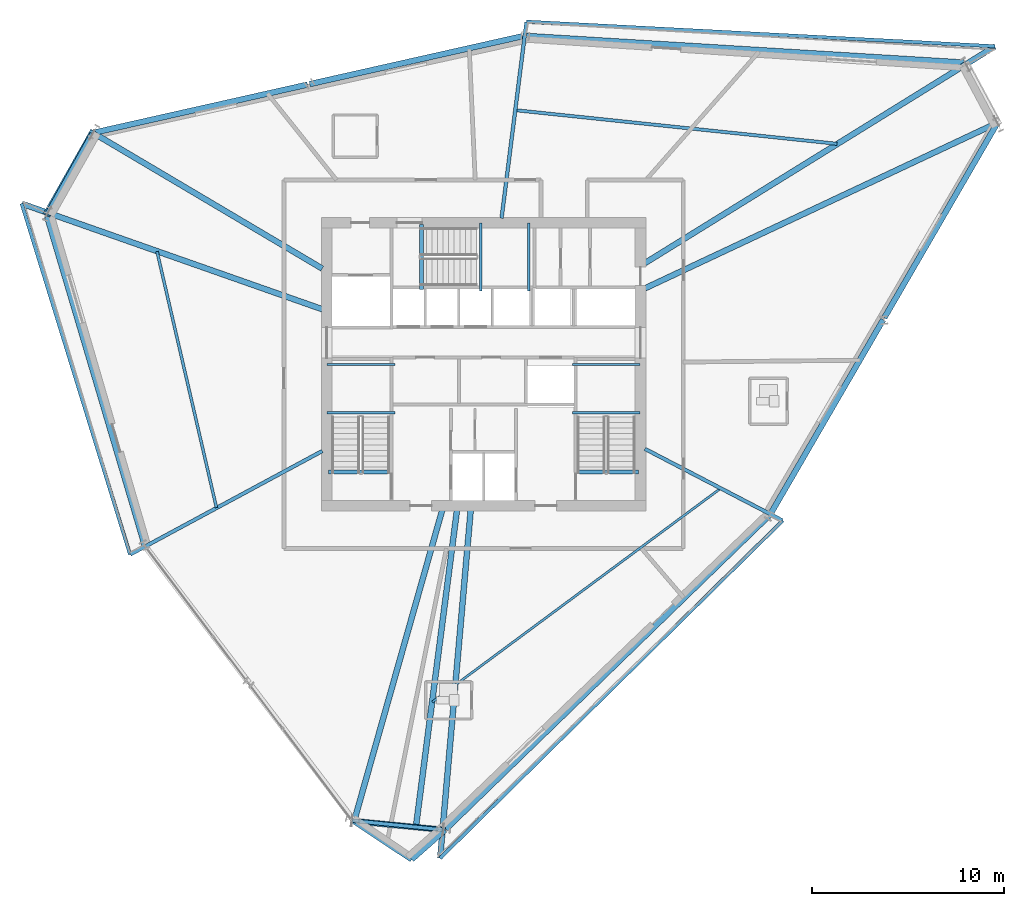
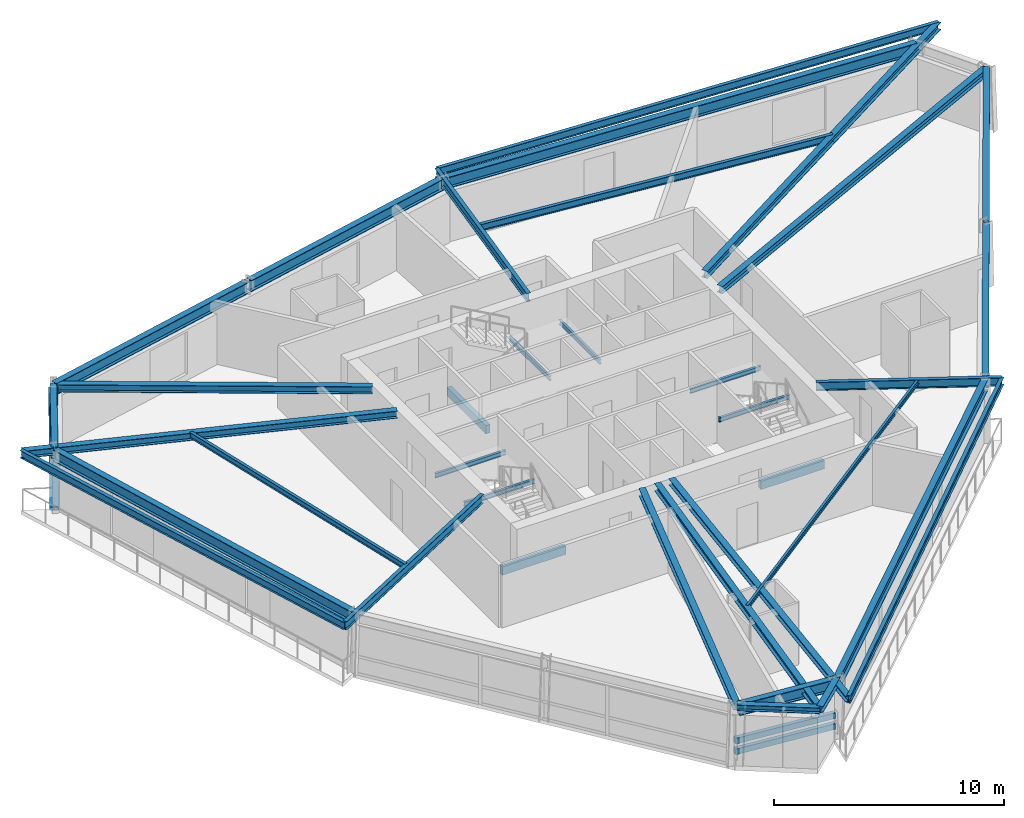
# One storey, part 4 of 15: 36 beams, 3 members.
"""IFC4 building model written with IfcOpenShell, lengths in metres."""

from ifc_helpers import new_model, si_unit, direction, frame, origin, origin_2d, place, context, subcontext, project, spatial, rectangle, hollow_rectangle, i_section, extrude, source, transform, mapped, material, material_profile, profile_set, type_object, element, save


model = new_model("IFC4")

# Units and contexts
model_context = context("Model", 3, precision=1e-05, world=origin(), true_north=direction((0.0, 1.0)))
body_context = subcontext(model_context, "Body", "Model", "MODEL_VIEW")
ifc_project = project(units=[si_unit("LENGTHUNIT", "METRE"), si_unit("AREAUNIT", "SQUARE_METRE"), si_unit("VOLUMEUNIT", "CUBIC_METRE"), si_unit("PLANEANGLEUNIT", "RADIAN"), si_unit("MASSUNIT", "GRAM", prefix="KILO")], contexts=[model_context])

# Site, building, storey
site_placement = place(None, origin())
site = spatial("IfcSite", under=ifc_project, at=site_placement, CompositionType="ELEMENT")
building_placement = place(site_placement, origin())
building = spatial("IfcBuilding", under=site, at=building_placement, Name="Olszyna Solenne Hotel", CompositionType="ELEMENT")
storey_placement = place(building_placement, frame((0.0, 0.0, 150.14990234375)))
storey = spatial("IfcBuildingStorey", under=building, at=storey_placement, Name="L39", CompositionType="ELEMENT", Elevation=150.14990234375)

# Beams
ifc_material_1 = material(Name="Steel S355J2", Category="steel")
ifc_material_profile_1 = material_profile(ifc_material_1, i_section(OverallWidth=0.300048828125, OverallDepth=0.60009765625, WebThickness=0.015380859375, FlangeThickness=0.030029296875, at=origin_2d()), Name="HEB 600", Category="load-bearing")
ifc_profile_set_1 = profile_set([ifc_material_profile_1], Name="Steel S355J2")
beam_type_1 = type_object("IfcBeamType", Name="BM-S2", PredefinedType="BEAM", material=ifc_profile_set_1)
shared_shape_1 = source(origin(), body_context, "Body", "SweptSolid", [
    extrude(i_section(OverallWidth=0.300048828125, OverallDepth=0.60009765625, WebThickness=0.015380859375, FlangeThickness=0.030029296875, at=origin_2d()), origin(), (0.0, 0.0, 1.0), 22.8935546875),
])
beam_1_placement = place(storey_placement, frame((63.021240234375, 42.31005859375, 3.0), z_axis=(-0.998154733349, 0.060721728348, 0.0), x_axis=(-0.060721728348, -0.998154733349, 0.0)))
element("IfcBeam", 1, at=beam_1_placement, inside=storey, type_object=beam_type_1, Name="Perimeter spandrel beam BM-S2 B-L39-1157", PredefinedType="BEAM", context=body_context, shape_type="MappedRepresentation", body=[
    mapped(shared_shape_1, transform((0.0, 0.0, 0.0), x_axis=(1.0, 0.0, 0.0), y_axis=(0.0, 1.0, 0.0), z_axis=(0.0, 0.0, 1.0), scale=1.0)),
])
shared_shape_2 = source(origin(), body_context, "Body", "SweptSolid", [
    extrude(i_section(OverallWidth=0.300048828125, OverallDepth=0.60009765625, WebThickness=0.015380859375, FlangeThickness=0.030029296875, at=origin_2d()), origin(), (0.0, 0.0, 1.0), 11.386962890625),
])
beam_2_placement = place(storey_placement, frame((28.825927734375, 41.1630859375, 3.0), z_axis=(-0.975581968848, -0.219635657529, 0.0), x_axis=(0.219635657529, -0.975581968848, 0.0)))
element("IfcBeam", 2, at=beam_2_placement, inside=storey, type_object=beam_type_1, Name="Perimeter spandrel beam BM-S2 B-L39-1159", PredefinedType="BEAM", context=body_context, shape_type="MappedRepresentation", body=[
    mapped(shared_shape_2, transform((0.0, 0.0, 0.0), x_axis=(1.0, 0.0, 0.0), y_axis=(0.0, 1.0, 0.0), z_axis=(0.0, 0.0, 1.0), scale=1.0)),
])
shared_shape_3 = source(origin(), body_context, "Body", "SweptSolid", [
    extrude(i_section(OverallWidth=0.300048828125, OverallDepth=0.60009765625, WebThickness=0.015380859375, FlangeThickness=0.030029296875, at=origin_2d()), origin(), (0.0, 0.0, 1.0), 11.38671875),
])
beam_3_placement = place(storey_placement, frame((40.051513671875, 43.690673828125, 3.0), z_axis=(-0.975580934534, -0.219640251717, 0.0), x_axis=(0.219640251717, -0.975580934534, 0.0)))
element("IfcBeam", 3, at=beam_3_placement, inside=storey, type_object=beam_type_1, Name="Perimeter spandrel beam BM-S2 B-L39-1158", PredefinedType="BEAM", context=body_context, shape_type="MappedRepresentation", body=[
    mapped(shared_shape_3, transform((0.0, 0.0, 0.0), x_axis=(1.0, 0.0, 0.0), y_axis=(0.0, 1.0, 0.0), z_axis=(0.0, 0.0, 1.0), scale=1.0)),
])
shared_shape_4 = source(origin(), body_context, "Body", "SweptSolid", [
    extrude(i_section(OverallWidth=0.300048828125, OverallDepth=0.60009765625, WebThickness=0.015380859375, FlangeThickness=0.030029296875, at=origin_2d()), origin(), (0.0, 0.0, 1.0), 11.678955078125),
])
beam_4_placement = place(storey_placement, frame((52.957763671875, 18.8125, 3.0), z_axis=(0.501783472499, 0.864993263978, 0.0), x_axis=(-0.864993263978, 0.501783472499, 0.0)))
element("IfcBeam", 4, at=beam_4_placement, inside=storey, type_object=beam_type_1, Name="Perimeter spandrel beam BM-S2 B-L39-1166", PredefinedType="BEAM", context=body_context, shape_type="MappedRepresentation", body=[
    mapped(shared_shape_4, transform((0.0, 0.0, 0.0), x_axis=(1.0, 0.0, 0.0), y_axis=(0.0, 1.0, 0.0), z_axis=(0.0, 0.0, 1.0), scale=1.0)),
])
ifc_material_profile_2 = material_profile(ifc_material_1, i_section(OverallWidth=0.179931640625, OverallDepth=0.39990234375, WebThickness=0.008544921875, FlangeThickness=0.013427734375, at=origin_2d()), Name="IPE 400", Category="load-bearing")
ifc_profile_set_2 = profile_set([ifc_material_profile_2], Name="Steel S355J2")
beam_type_2 = type_object("IfcBeamType", Name="BM-F5", PredefinedType="BEAM", material=ifc_profile_set_2)
shared_shape_5 = source(origin(), body_context, "Body", "SweptSolid", [
    extrude(i_section(OverallWidth=0.179931640625, OverallDepth=0.39990234375, WebThickness=0.008544921875, FlangeThickness=0.013427734375, at=origin_2d()), origin(), (0.0, 0.0, 1.0), 24.443115234375),
])
beam_5_placement = place(storey_placement, frame((64.645263671875, 43.158203125, 3.10009765625), z_axis=(-0.998624718622, 0.052427772757, 0.0), x_axis=(-0.052427772757, -0.998624718622, 0.0)))
element("IfcBeam", 5, at=beam_5_placement, inside=storey, type_object=beam_type_2, Name="Loggia outer edge beam BM-F5 B-L39-1183", PredefinedType="BEAM", context=body_context, shape_type="MappedRepresentation", body=[
    mapped(shared_shape_5, transform((0.0, 0.0, 0.0), x_axis=(1.0, 0.0, 0.0), y_axis=(0.0, 1.0, 0.0), z_axis=(0.0, 0.0, 1.0), scale=1.0)),
])
shared_shape_6 = source(origin(), body_context, "Body", "SweptSolid", [
    extrude(i_section(OverallWidth=0.300048828125, OverallDepth=0.60009765625, WebThickness=0.015380859375, FlangeThickness=0.030029296875, at=origin_2d()), origin(), (0.0, 0.0, 1.0), 4.8125),
])
beam_6_placement = place(storey_placement, frame((17.62939453125, 38.5966796875, 3.0), z_axis=(-0.488624995175, -0.872493904902, 0.0), x_axis=(0.872493904902, -0.488624995175, 0.0)))
element("IfcBeam", 6, at=beam_6_placement, inside=storey, type_object=beam_type_1, Name="Perimeter spandrel beam BM-S2 B-L39-1160", PredefinedType="BEAM", context=body_context, shape_type="MappedRepresentation", body=[
    mapped(shared_shape_6, transform((0.0, 0.0, 0.0), x_axis=(1.0, 0.0, 0.0), y_axis=(0.0, 1.0, 0.0), z_axis=(0.0, 0.0, 1.0), scale=1.0)),
])
shared_shape_7 = source(origin(), body_context, "Body", "SweptSolid", [
    extrude(i_section(OverallWidth=0.300048828125, OverallDepth=0.60009765625, WebThickness=0.015380859375, FlangeThickness=0.030029296875, at=origin_2d()), origin(), (0.0, 0.0, 1.0), 17.864013671875),
])
beam_7_placement = place(storey_placement, frame((15.265625, 34.28759765625, 3.0), z_axis=(0.284578271504, -0.958652808574, 0.0), x_axis=(0.958652808574, 0.284578271504, 0.0)))
element("IfcBeam", 7, at=beam_7_placement, inside=storey, type_object=beam_type_1, Name="Perimeter spandrel beam BM-S2 B-L39-1161", PredefinedType="BEAM", context=body_context, shape_type="MappedRepresentation", body=[
    mapped(shared_shape_7, transform((0.0, 0.0, 0.0), x_axis=(1.0, 0.0, 0.0), y_axis=(0.0, 1.0, 0.0), z_axis=(0.0, 0.0, 1.0), scale=1.0)),
])
shared_shape_8 = source(origin(), body_context, "Body", "SweptSolid", [
    extrude(i_section(OverallWidth=0.300048828125, OverallDepth=0.60009765625, WebThickness=0.015380859375, FlangeThickness=0.030029296875, at=origin_2d()), origin(), (0.0, 0.0, 1.0), 4.631591796875),
])
beam_8_placement = place(storey_placement, frame((31.316650390625, 2.787109375, 3.0), z_axis=(0.995316042028, -0.096674590673, 0.0), x_axis=(0.096674590673, 0.995316042028, 0.0)))
element("IfcBeam", 8, at=beam_8_placement, inside=storey, type_object=beam_type_1, Name="Perimeter spandrel beam BM-S2 B-L39-1164", PredefinedType="BEAM", context=body_context, shape_type="MappedRepresentation", body=[
    mapped(shared_shape_8, transform((0.0, 0.0, 0.0), x_axis=(1.0, 0.0, 0.0), y_axis=(0.0, 1.0, 0.0), z_axis=(0.0, 0.0, 1.0), scale=1.0)),
])
shared_shape_9 = source(origin(), body_context, "Body", "SweptSolid", [
    extrude(i_section(OverallWidth=0.300048828125, OverallDepth=0.60009765625, WebThickness=0.015380859375, FlangeThickness=0.030029296875, at=origin_2d()), origin(), (0.0, 0.0, 1.0), 23.477783203125),
])
beam_9_placement = place(storey_placement, frame((36.029296875, 2.375244140625, 3.0), z_axis=(0.717920708396, 0.696124885675, 0.0), x_axis=(-0.696124885675, 0.717920708396, 0.0)))
element("IfcBeam", 9, at=beam_9_placement, inside=storey, type_object=beam_type_1, Name="Perimeter spandrel beam BM-S2 B-L39-1165", PredefinedType="BEAM", context=body_context, shape_type="MappedRepresentation", body=[
    mapped(shared_shape_9, transform((0.0, 0.0, 0.0), x_axis=(1.0, 0.0, 0.0), y_axis=(0.0, 1.0, 0.0), z_axis=(0.0, 0.0, 1.0), scale=1.0)),
])
shared_shape_10 = source(origin(), body_context, "Body", "SweptSolid", [
    extrude(i_section(OverallWidth=0.300048828125, OverallDepth=0.60009765625, WebThickness=0.015380859375, FlangeThickness=0.030029296875, at=origin_2d()), origin(), (0.0, 0.0, 1.0), 11.67919921875),
])
beam_10_placement = place(storey_placement, frame((58.87841796875, 29.0185546875, 3.0), z_axis=(0.501758758482, 0.865007600132, 0.0), x_axis=(-0.865007600132, 0.501758758482, 0.0)))
element("IfcBeam", 10, at=beam_10_placement, inside=storey, type_object=beam_type_1, Name="Perimeter spandrel beam BM-S2 B-L39-1167", PredefinedType="BEAM", context=body_context, shape_type="MappedRepresentation", body=[
    mapped(shared_shape_10, transform((0.0, 0.0, 0.0), x_axis=(1.0, 0.0, 0.0), y_axis=(0.0, 1.0, 0.0), z_axis=(0.0, 0.0, 1.0), scale=1.0)),
])
ifc_material_profile_3 = material_profile(ifc_material_1, i_section(OverallWidth=0.300048828125, OverallDepth=0.389892578125, WebThickness=0.010986328125, FlangeThickness=0.01904296875, at=origin_2d()), Name="HEA 400", Category="load-bearing")
ifc_profile_set_3 = profile_set([ifc_material_profile_3], Name="Steel S355J2")
beam_type_3 = type_object("IfcBeamType", Name="BM-G2", PredefinedType="BEAM", material=ifc_profile_set_3)
shared_shape_11 = source(origin(), body_context, "Body", "SweptSolid", [
    extrude(i_section(OverallWidth=0.300048828125, OverallDepth=0.389892578125, WebThickness=0.010986328125, FlangeThickness=0.01904296875, at=origin_2d()), origin(), (0.0, 0.0, 1.0), 20.228759765625),
])
beam_11_placement = place(storey_placement, frame((64.71435546875, 39.1474609375, 3.10498046875), z_axis=(-0.905131091365, -0.425132576315, 0.0), x_axis=(0.425132576315, -0.905131091365, 0.0)))
element("IfcBeam", 11, at=beam_11_placement, inside=storey, type_object=beam_type_3, Name="Radial floor girder BM-G2 B-L39-1168", PredefinedType="BEAM", context=body_context, shape_type="MappedRepresentation", body=[
    mapped(shared_shape_11, transform((0.0, 0.0, 0.0), x_axis=(1.0, 0.0, 0.0), y_axis=(0.0, 1.0, 0.0), z_axis=(0.0, 0.0, 1.0), scale=1.0)),
])
shared_shape_12 = source(origin(), body_context, "Body", "SweptSolid", [
    extrude(i_section(OverallWidth=0.300048828125, OverallDepth=0.389892578125, WebThickness=0.010986328125, FlangeThickness=0.01904296875, at=origin_2d()), origin(), (0.0, 0.0, 1.0), 21.43115234375),
])
beam_12_placement = place(storey_placement, frame((64.62841796875, 43.147705078125, 3.10498046875), z_axis=(-0.850197647568, -0.526463636037, 0.0), x_axis=(0.526463636037, -0.850197647568, 0.0)))
element("IfcBeam", 12, at=beam_12_placement, inside=storey, type_object=beam_type_3, Name="Radial floor girder BM-G2 B-L39-1169", PredefinedType="BEAM", context=body_context, shape_type="MappedRepresentation", body=[
    mapped(shared_shape_12, transform((0.0, 0.0, 0.0), x_axis=(1.0, 0.0, 0.0), y_axis=(0.0, 1.0, 0.0), z_axis=(0.0, 0.0, 1.0), scale=1.0)),
])
ifc_material_profile_4 = material_profile(ifc_material_1, i_section(OverallWidth=0.18994140625, OverallDepth=0.449951171875, WebThickness=0.009521484375, FlangeThickness=0.0146484375, at=origin_2d()), Name="IPE 450", Category="load-bearing")
ifc_profile_set_4 = profile_set([ifc_material_profile_4], Name="Steel S355J2")
beam_type_4 = type_object("IfcBeamType", Name="BM-F4", PredefinedType="BEAM", material=ifc_profile_set_4)
shared_shape_13 = source(origin(), body_context, "Body", "SweptSolid", [
    extrude(i_section(OverallWidth=0.18994140625, OverallDepth=0.449951171875, WebThickness=0.009521484375, FlangeThickness=0.0146484375, at=origin_2d()), origin(), (0.0, 0.0, 1.0), 10.30126953125),
])
beam_13_placement = place(storey_placement, frame((40.2333984375, 44.419921875, 3.0751953125), z_axis=(-0.125775947316, -0.992058673203, 0.0), x_axis=(0.992058673203, -0.125775947316, 0.0)))
element("IfcBeam", 13, at=beam_13_placement, inside=storey, type_object=beam_type_4, Name="Radial floor girder BM-F4 B-L39-1170", PredefinedType="BEAM", context=body_context, shape_type="MappedRepresentation", body=[
    mapped(shared_shape_13, transform((0.0, 0.0, 0.0), x_axis=(1.0, 0.0, 0.0), y_axis=(0.0, 1.0, 0.0), z_axis=(0.0, 0.0, 1.0), scale=1.0)),
])
shared_shape_14 = source(origin(), body_context, "Body", "SweptSolid", [
    extrude(i_section(OverallWidth=0.300048828125, OverallDepth=0.389892578125, WebThickness=0.010986328125, FlangeThickness=0.01904296875, at=origin_2d()), origin(), (0.0, 0.0, 1.0), 13.81103515625),
])
beam_14_placement = place(storey_placement, frame((17.710205078125, 38.618408203125, 3.10498046875), z_axis=(0.860389720927, -0.509636662852, 0.0), x_axis=(0.509636662852, 0.860389720927, 0.0)))
element("IfcBeam", 14, at=beam_14_placement, inside=storey, type_object=beam_type_3, Name="Radial floor girder BM-G2 B-L39-1171", PredefinedType="BEAM", context=body_context, shape_type="MappedRepresentation", body=[
    mapped(shared_shape_14, transform((0.0, 0.0, 0.0), x_axis=(1.0, 0.0, 0.0), y_axis=(0.0, 1.0, 0.0), z_axis=(0.0, 0.0, 1.0), scale=1.0)),
])
shared_shape_15 = source(origin(), body_context, "Body", "SweptSolid", [
    extrude(i_section(OverallWidth=0.300048828125, OverallDepth=0.389892578125, WebThickness=0.010986328125, FlangeThickness=0.01904296875, at=origin_2d()), origin(), (0.0, 0.0, 1.0), 16.580810546875),
])
beam_15_placement = place(storey_placement, frame((13.954833984375, 34.958740234375, 3.10498046875), z_axis=(0.943417691747, -0.331606783553, 0.0), x_axis=(0.331606783553, 0.943417691747, 0.0)))
element("IfcBeam", 15, at=beam_15_placement, inside=storey, type_object=beam_type_3, Name="Radial floor girder BM-G2 B-L39-1172", PredefinedType="BEAM", context=body_context, shape_type="MappedRepresentation", body=[
    mapped(shared_shape_15, transform((0.0, 0.0, 0.0), x_axis=(1.0, 0.0, 0.0), y_axis=(0.0, 1.0, 0.0), z_axis=(0.0, 0.0, 1.0), scale=1.0)),
])
shared_shape_16 = source(origin(), body_context, "Body", "SweptSolid", [
    extrude(i_section(OverallWidth=0.18994140625, OverallDepth=0.449951171875, WebThickness=0.009521484375, FlangeThickness=0.0146484375, at=origin_2d()), origin(), (0.0, 0.0, 1.0), 11.3505859375),
])
beam_16_placement = place(storey_placement, frame((19.60205078125, 16.6884765625, 3.0751953125), z_axis=(0.880296995655, 0.474423017401, 0.0), x_axis=(-0.474423017401, 0.880296995655, 0.0)))
element("IfcBeam", 16, at=beam_16_placement, inside=storey, type_object=beam_type_4, Name="Radial floor girder BM-F4 B-L39-1173", PredefinedType="BEAM", context=body_context, shape_type="MappedRepresentation", body=[
    mapped(shared_shape_16, transform((0.0, 0.0, 0.0), x_axis=(1.0, 0.0, 0.0), y_axis=(0.0, 1.0, 0.0), z_axis=(0.0, 0.0, 1.0), scale=1.0)),
])
shared_shape_17 = source(origin(), body_context, "Body", "SweptSolid", [
    extrude(i_section(OverallWidth=0.300048828125, OverallDepth=0.389892578125, WebThickness=0.010986328125, FlangeThickness=0.01904296875, at=origin_2d()), origin(), (0.0, 0.0, 1.0), 16.78271484375),
])
beam_17_placement = place(storey_placement, frame((31.273193359375, 2.8505859375, 3.10498046875), z_axis=(0.272512796796, 0.962152158228, 0.0), x_axis=(-0.962152158228, 0.272512796796, 0.0)))
element("IfcBeam", 17, at=beam_17_placement, inside=storey, type_object=beam_type_3, Name="Radial floor girder BM-G2 B-L39-1174", PredefinedType="BEAM", context=body_context, shape_type="MappedRepresentation", body=[
    mapped(shared_shape_17, transform((0.0, 0.0, 0.0), x_axis=(1.0, 0.0, 0.0), y_axis=(0.0, 1.0, 0.0), z_axis=(0.0, 0.0, 1.0), scale=1.0)),
])
shared_shape_18 = source(origin(), body_context, "Body", "SweptSolid", [
    extrude(i_section(OverallWidth=0.300048828125, OverallDepth=0.389892578125, WebThickness=0.010986328125, FlangeThickness=0.01904296875, at=origin_2d()), origin(), (0.0, 0.0, 1.0), 18.33154296875),
])
beam_18_placement = place(storey_placement, frame((34.2587890625, 0.81982421875, 3.10498046875), z_axis=(0.128559122288, 0.991701846361, 0.0), x_axis=(-0.991701846361, 0.128559122288, 0.0)))
element("IfcBeam", 18, at=beam_18_placement, inside=storey, type_object=beam_type_3, Name="Radial floor girder BM-G2 B-L39-1175", PredefinedType="BEAM", context=body_context, shape_type="MappedRepresentation", body=[
    mapped(shared_shape_18, transform((0.0, 0.0, 0.0), x_axis=(1.0, 0.0, 0.0), y_axis=(0.0, 1.0, 0.0), z_axis=(0.0, 0.0, 1.0), scale=1.0)),
])
shared_shape_19 = source(origin(), body_context, "Body", "SweptSolid", [
    extrude(i_section(OverallWidth=0.18994140625, OverallDepth=0.449951171875, WebThickness=0.009521484375, FlangeThickness=0.0146484375, at=origin_2d()), origin(), (0.0, 0.0, 1.0), 8.072021484375),
])
beam_19_placement = place(storey_placement, frame((53.56640625, 18.459716796875, 3.0751953125), z_axis=(-0.887088015616, 0.461600316888, 0.0), x_axis=(-0.461600316888, -0.887088015616, 0.0)))
element("IfcBeam", 19, at=beam_19_placement, inside=storey, type_object=beam_type_4, Name="Radial floor girder BM-F4 B-L39-1176", PredefinedType="BEAM", context=body_context, shape_type="MappedRepresentation", body=[
    mapped(shared_shape_19, transform((0.0, 0.0, 0.0), x_axis=(1.0, 0.0, 0.0), y_axis=(0.0, 1.0, 0.0), z_axis=(0.0, 0.0, 1.0), scale=1.0)),
])
ifc_material_profile_5 = material_profile(ifc_material_1, i_section(OverallWidth=0.300048828125, OverallDepth=0.31005859375, WebThickness=0.009033203125, FlangeThickness=0.015380859375, at=origin_2d()), Name="HEA 320", Category="load-bearing")
ifc_profile_set_5 = profile_set([ifc_material_profile_5], Name="Steel S355J2")
beam_type_5 = type_object("IfcBeamType", Name="BM-G3", PredefinedType="BEAM", material=ifc_profile_set_5)
shared_shape_20 = source(origin(), body_context, "Body", "SweptSolid", [
    extrude(i_section(OverallWidth=0.300048828125, OverallDepth=0.31005859375, WebThickness=0.009033203125, FlangeThickness=0.015380859375, at=origin_2d()), origin(), (0.0, 0.0, 1.0), 3.60107421875),
])
beam_20_placement = place(storey_placement, frame((31.2568359375, 2.79296875, 3.14501953125), z_axis=(0.832894192316, -0.553432258191, 0.0), x_axis=(0.553432258191, 0.832894192316, 0.0)))
element("IfcBeam", 20, at=beam_20_placement, inside=storey, type_object=beam_type_5, Name="Prism side edge beam BM-G3 B-L39-1177", PredefinedType="BEAM", context=body_context, shape_type="MappedRepresentation", body=[
    mapped(shared_shape_20, transform((0.0, 0.0, 0.0), x_axis=(1.0, 0.0, 0.0), y_axis=(0.0, 1.0, 0.0), z_axis=(0.0, 0.0, 1.0), scale=1.0)),
])
shared_shape_21 = source(origin(), body_context, "Body", "SweptSolid", [
    extrude(i_section(OverallWidth=0.300048828125, OverallDepth=0.31005859375, WebThickness=0.009033203125, FlangeThickness=0.015380859375, at=origin_2d()), origin(), (0.0, 0.0, 1.0), 2.311767578125),
])
beam_21_placement = place(storey_placement, frame((35.986083984375, 2.33349609375, 3.14501953125), z_axis=(-0.748335025037, -0.663320955724, 0.0), x_axis=(0.663320955724, -0.748335025037, 0.0)))
element("IfcBeam", 21, at=beam_21_placement, inside=storey, type_object=beam_type_5, Name="Prism side edge beam BM-G3 B-L39-1178", PredefinedType="BEAM", context=body_context, shape_type="MappedRepresentation", body=[
    mapped(shared_shape_21, transform((0.0, 0.0, 0.0), x_axis=(1.0, 0.0, 0.0), y_axis=(0.0, 1.0, 0.0), z_axis=(0.0, 0.0, 1.0), scale=1.0)),
])
shared_shape_22 = source(origin(), body_context, "Body", "SweptSolid", [
    extrude(i_section(OverallWidth=0.300048828125, OverallDepth=0.31005859375, WebThickness=0.009033203125, FlangeThickness=0.015380859375, at=origin_2d()), origin(), (0.0, 0.0, 1.0), 18.2080078125),
])
beam_22_placement = place(storey_placement, frame((35.734619140625, 0.86181640625, 3.14501953125), z_axis=(0.087677409598, 0.996148920517, 0.0), x_axis=(-0.996148920517, 0.087677409598, 0.0)))
element("IfcBeam", 22, at=beam_22_placement, inside=storey, type_object=beam_type_5, Name="Loggia/prism radial back-span girder BM-G3 B-L39-1179", PredefinedType="BEAM", context=body_context, shape_type="MappedRepresentation", body=[
    mapped(shared_shape_22, transform((0.0, 0.0, 0.0), x_axis=(1.0, 0.0, 0.0), y_axis=(0.0, 1.0, 0.0), z_axis=(0.0, 0.0, 1.0), scale=1.0)),
])
ifc_material_profile_6 = material_profile(ifc_material_1, i_section(OverallWidth=0.169921875, OverallDepth=0.360107421875, WebThickness=0.008056640625, FlangeThickness=0.0126953125, at=origin_2d()), Name="IPE 360", Category="load-bearing")
ifc_profile_set_6 = profile_set([ifc_material_profile_6], Name="Steel S355J2")
beam_type_6 = type_object("IfcBeamType", Name="JS-01", PredefinedType="JOIST", material=ifc_profile_set_6)
shared_shape_23 = source(origin(), body_context, "Body", "SweptSolid", [
    extrude(i_section(OverallWidth=0.169921875, OverallDepth=0.360107421875, WebThickness=0.008056640625, FlangeThickness=0.0126953125, at=origin_2d()), origin(), (0.0, 0.0, 1.0), 16.838134765625),
])
beam_23_placement = place(storey_placement, frame((56.41845703125, 38.078369140625, 3.1201171875), z_axis=(-0.994575461053, 0.104017557513, 0.0), x_axis=(-0.104017557513, -0.994575461053, 0.0)))
element("IfcBeam", 23, at=beam_23_placement, inside=storey, type_object=beam_type_6, Name="Secondary composite floor joist JS-01 B-L39-1180", PredefinedType="JOIST", context=body_context, shape_type="MappedRepresentation", body=[
    mapped(shared_shape_23, transform((0.0, 0.0, 0.0), x_axis=(1.0, 0.0, 0.0), y_axis=(0.0, 1.0, 0.0), z_axis=(0.0, 0.0, 1.0), scale=1.0)),
])
ifc_material_profile_7 = material_profile(ifc_material_1, i_section(OverallWidth=0.14990234375, OverallDepth=0.300048828125, WebThickness=0.007080078125, FlangeThickness=0.0107421875, at=origin_2d()), Name="IPE 300", Category="load-bearing")
ifc_profile_set_7 = profile_set([ifc_material_profile_7], Name="Steel S355J2")
beam_type_7 = type_object("IfcBeamType", Name="JS-02", PredefinedType="JOIST", material=ifc_profile_set_7)
shared_shape_24 = source(origin(), body_context, "Body", "SweptSolid", [
    extrude(i_section(OverallWidth=0.14990234375, OverallDepth=0.300048828125, WebThickness=0.007080078125, FlangeThickness=0.0107421875, at=origin_2d()), origin(), (0.0, 0.0, 1.0), 13.697021484375),
])
beam_24_placement = place(storey_placement, frame((20.988037109375, 32.468505859375, 3.150146484375), z_axis=(0.226047860204, -0.974116196815, 0.0), x_axis=(0.974116196815, 0.226047860204, 0.0)))
element("IfcBeam", 24, at=beam_24_placement, inside=storey, type_object=beam_type_7, Name="Secondary composite floor joist JS-02 B-L39-1181", PredefinedType="JOIST", context=body_context, shape_type="MappedRepresentation", body=[
    mapped(shared_shape_24, transform((0.0, 0.0, 0.0), x_axis=(1.0, 0.0, 0.0), y_axis=(0.0, 1.0, 0.0), z_axis=(0.0, 0.0, 1.0), scale=1.0)),
])
ifc_material_profile_8 = material_profile(ifc_material_1, i_section(OverallWidth=0.1201171875, OverallDepth=0.239990234375, WebThickness=0.006103515625, FlangeThickness=0.009765625, at=origin_2d()), Name="IPE 240", Category="load-bearing")
ifc_profile_set_8 = profile_set([ifc_material_profile_8], Name="Steel S355J2")
beam_type_8 = type_object("IfcBeamType", Name="JS-03", PredefinedType="JOIST", material=ifc_profile_set_8)
shared_shape_25 = source(origin(), body_context, "Body", "SweptSolid", [
    extrude(i_section(OverallWidth=0.1201171875, OverallDepth=0.239990234375, WebThickness=0.006103515625, FlangeThickness=0.009765625, at=origin_2d()), origin(), (0.0, 0.0, 1.0), 18.674072265625),
])
beam_25_placement = place(storey_placement, frame((35.333984375, 9.00146484375, 3.18017578125), z_axis=(0.803452265977, 0.595369176476, 0.0), x_axis=(-0.595369176476, 0.803452265977, 0.0)))
element("IfcBeam", 25, at=beam_25_placement, inside=storey, type_object=beam_type_8, Name="Secondary composite floor joist JS-03 B-L39-1182", PredefinedType="JOIST", context=body_context, shape_type="MappedRepresentation", body=[
    mapped(shared_shape_25, transform((0.0, 0.0, 0.0), x_axis=(1.0, 0.0, 0.0), y_axis=(0.0, 1.0, 0.0), z_axis=(0.0, 0.0, 1.0), scale=1.0)),
])
shared_shape_26 = source(origin(), body_context, "Body", "SweptSolid", [
    extrude(i_section(OverallWidth=0.179931640625, OverallDepth=0.39990234375, WebThickness=0.008544921875, FlangeThickness=0.013427734375, at=origin_2d()), origin(), (0.0, 0.0, 1.0), 19.138916015625),
])
beam_26_placement = place(storey_placement, frame((13.935791015625, 34.96533203125, 3.10009765625), z_axis=(0.295140712669, -0.955453797797, 0.0), x_axis=(0.955453797797, 0.295140712669, 0.0)))
element("IfcBeam", 26, at=beam_26_placement, inside=storey, type_object=beam_type_2, Name="Loggia outer edge beam BM-F5 B-L39-1184", PredefinedType="BEAM", context=body_context, shape_type="MappedRepresentation", body=[
    mapped(shared_shape_26, transform((0.0, 0.0, 0.0), x_axis=(1.0, 0.0, 0.0), y_axis=(0.0, 1.0, 0.0), z_axis=(0.0, 0.0, 1.0), scale=1.0)),
])
shared_shape_27 = source(origin(), body_context, "Body", "SweptSolid", [
    extrude(i_section(OverallWidth=0.179931640625, OverallDepth=0.39990234375, WebThickness=0.008544921875, FlangeThickness=0.013427734375, at=origin_2d()), origin(), (0.0, 0.0, 1.0), 25.05908203125),
])
beam_27_placement = place(storey_placement, frame((35.734619140625, 0.86181640625, 3.10009765625), z_axis=(0.712290182833, 0.701885101309, 0.0), x_axis=(-0.701885101309, 0.712290182833, 0.0)))
element("IfcBeam", 27, at=beam_27_placement, inside=storey, type_object=beam_type_2, Name="Loggia outer edge beam BM-F5 B-L39-1185", PredefinedType="BEAM", context=body_context, shape_type="MappedRepresentation", body=[
    mapped(shared_shape_27, transform((0.0, 0.0, 0.0), x_axis=(1.0, 0.0, 0.0), y_axis=(0.0, 1.0, 0.0), z_axis=(0.0, 0.0, 1.0), scale=1.0)),
])

# Members
ifc_material_profile_9 = material_profile(ifc_material_1, hollow_rectangle(XDim=0.199951171875, YDim=0.300048828125, WallThickness=0.01611328125, at=origin_2d()), Name="RHS 300x200x16", Category="load-bearing")
ifc_profile_set_9 = profile_set([ifc_material_profile_9], Name="Steel S355J2")
member_type_1 = type_object("IfcMemberType", Name="CH-PR1", PredefinedType="CHORD", material=ifc_profile_set_9)
shared_shape_28 = source(origin(), body_context, "Body", "SweptSolid", [
    extrude(hollow_rectangle(XDim=0.199951171875, YDim=0.300048828125, WallThickness=0.01611328125, at=origin_2d()), origin(), (0.0, 0.0, 1.0), 4.75146484375),
])
for number, where, z_axis, x_axis, name in (
    (28, (31.153076171875, 2.822509765625, 1.35009765625), (0.994884428933, -0.101019666733, 0.0), (0.101019666733, 0.994884428933, 0.0), "Glass-prism tie chord CH-PR1 M-L39-PR1"),
    (29, (31.153076171875, 2.822509765625, 0.780029296875), (0.994884428933, -0.101019666733, 0.0), (0.101019666733, 0.994884428933, 0.0), "Glass-prism tie chord CH-PR1 M-L39-PR2"),
):
    element("IfcMember", number, at=place(storey_placement, frame(where, z_axis=z_axis, x_axis=x_axis)), inside=storey, type_object=member_type_1, Name=name, PredefinedType="CHORD", context=body_context, shape_type="MappedRepresentation", body=[
        mapped(shared_shape_28, transform((0.0, 0.0, 0.0), x_axis=(1.0, 0.0, 0.0), y_axis=(0.0, 1.0, 0.0), z_axis=(0.0, 0.0, 1.0), scale=1.0)),
    ])
ifc_material_2 = material(Name="Steel S460M", Category="steel")
ifc_material_profile_10 = material_profile(ifc_material_2, i_section(OverallWidth=0.406005859375, OverallDepth=0.416015625, WebThickness=0.026611328125, FlangeThickness=0.04150390625, at=origin_2d()), Name="HD 400x382", Category="load-bearing")
ifc_profile_set_10 = profile_set([ifc_material_profile_10], Name="Steel S460M")
member_type_2 = type_object("IfcMemberType", Name="BR-T2", PredefinedType="BRACE", material=ifc_profile_set_10)
shared_shape_29 = source(origin(), body_context, "Body", "SweptSolid", [
    extrude(i_section(OverallWidth=0.406005859375, OverallDepth=0.416015625, WebThickness=0.026611328125, FlangeThickness=0.04150390625, at=origin_2d()), origin(), (0.0, 0.0, 1.0), 5.66455078125),
])
member_placement = place(storey_placement, frame((15.28271484375, 34.4443359375, 0.010009765625), z_axis=(0.419449743761, 0.742269162253, 0.522588177466), x_axis=(-0.870609910563, 0.491973966415, 0.0)))
element("IfcMember", 30, at=member_placement, inside=storey, type_object=member_type_2, Name="Perimeter braced-tube diagonal BR-T2 BR-L39-2", PredefinedType="BRACE", context=body_context, shape_type="MappedRepresentation", body=[
    mapped(shared_shape_29, transform((0.0, 0.0, 0.0), x_axis=(1.0, 0.0, 0.0), y_axis=(0.0, 1.0, 0.0), z_axis=(0.0, 0.0, 1.0), scale=1.0)),
])

# Beams
shared_shape_30 = source(origin(), body_context, "Body", "SweptSolid", [
    extrude(i_section(OverallWidth=0.1201171875, OverallDepth=0.239990234375, WebThickness=0.006103515625, FlangeThickness=0.009765625, at=origin_2d()), origin(), (0.0, 0.0, 1.0), 3.539794921875),
])
for number, where, z_axis, x_axis, name in (
    (31, (33.3798828125, 24.070068359375, 1.4501953125), (-1.0, 0.0, 0.0), (0.0, -1.0, 0.0), "Stair landing support beam JS-03 SLB-ST1-0083"),
    (32, (33.3798828125, 26.580078125, 1.4501953125), (-1.0, 0.0, 0.0), (0.0, -1.0, 0.0), "Stair landing support beam JS-03 SLB-ST1-0084"),
    (33, (46.159912109375, 24.070068359375, 1.4501953125), (-1.0, 0.0, 0.0), (0.0, -1.0, 0.0), "Stair landing support beam JS-03 SLB-ST2-0323"),
    (34, (46.159912109375, 26.580078125, 1.4501953125), (-1.0, 0.0, 0.0), (0.0, -1.0, 0.0), "Stair landing support beam JS-03 SLB-ST2-0324"),
):
    element("IfcBeam", number, at=place(storey_placement, frame(where, z_axis=z_axis, x_axis=x_axis)), inside=storey, type_object=beam_type_8, Name=name, PredefinedType="JOIST", context=body_context, shape_type="MappedRepresentation", body=[
        mapped(shared_shape_30, transform((0.0, 0.0, 0.0), x_axis=(1.0, 0.0, 0.0), y_axis=(0.0, 1.0, 0.0), z_axis=(0.0, 0.0, 1.0), scale=1.0)),
    ])
ifc_material_3 = material(Name="Concrete C50/60", Category="concrete")
ifc_material_profile_11 = material_profile(ifc_material_3, rectangle(XDim=0.219970703125, YDim=0.43994140625, at=origin_2d()), Name="RC 220x440", Category="load-bearing")
ifc_profile_set_11 = profile_set([ifc_material_profile_11], Name="Concrete C50/60")
beam_type_9 = type_object("IfcBeamType", Name="BM-ST1", PredefinedType="BEAM", material=ifc_profile_set_11)
shared_shape_31 = source(origin(), body_context, "Body", "SweptSolid", [
    extrude(rectangle(XDim=0.219970703125, YDim=0.43994140625, at=origin_2d()), origin(), (0.0, 0.0, 1.0), 3.18017578125),
])
for number, where, z_axis, x_axis, name in (
    (35, (33.10009765625, 20.97998046875, -0.204833984375), (-1.0, 0.0, 0.0), (0.0, -1.0, 0.0), "Concrete stair trimmer beam BM-ST1 SHB-ST1-0201"),
    (36, (46.080078125, 20.97998046875, -0.204833984375), (-1.0, 0.0, 0.0), (0.0, -1.0, 0.0), "Concrete stair trimmer beam BM-ST1 SHB-ST2-0441"),
):
    element("IfcBeam", number, at=place(storey_placement, frame(where, z_axis=z_axis, x_axis=x_axis)), inside=storey, type_object=beam_type_9, Name=name, PredefinedType="BEAM", context=body_context, shape_type="MappedRepresentation", body=[
        mapped(shared_shape_31, transform((0.0, 0.0, 0.0), x_axis=(1.0, 0.0, 0.0), y_axis=(0.0, 1.0, 0.0), z_axis=(0.0, 0.0, 1.0), scale=1.0)),
    ])
shared_shape_32 = source(origin(), body_context, "Body", "SweptSolid", [
    extrude(i_section(OverallWidth=0.1201171875, OverallDepth=0.239990234375, WebThickness=0.006103515625, FlangeThickness=0.009765625, at=origin_2d()), origin(), (0.0, 0.0, 1.0), 3.5400390625),
])
for number, where, z_axis, x_axis, name in (
    (37, (37.85009765625, 30.419921875, 1.4501953125), (0.0, 1.0, 0.0), (-1.0, 0.0, 0.0), "Stair landing support beam JS-03 SLB-ST3-0563"),
    (38, (40.360107421875, 30.419921875, 1.4501953125), (0.0, 1.0, 0.0), (-1.0, 0.0, 0.0), "Stair landing support beam JS-03 SLB-ST3-0564"),
):
    element("IfcBeam", number, at=place(storey_placement, frame(where, z_axis=z_axis, x_axis=x_axis)), inside=storey, type_object=beam_type_8, Name=name, PredefinedType="JOIST", context=body_context, shape_type="MappedRepresentation", body=[
        mapped(shared_shape_32, transform((0.0, 0.0, 0.0), x_axis=(1.0, 0.0, 0.0), y_axis=(0.0, 1.0, 0.0), z_axis=(0.0, 0.0, 1.0), scale=1.0)),
    ])
shared_shape_33 = source(origin(), body_context, "Body", "SweptSolid", [
    extrude(rectangle(XDim=0.219970703125, YDim=0.43994140625, at=origin_2d()), origin(), (0.0, 0.0, 1.0), 3.3798828125),
])
beam_28_placement = place(storey_placement, frame((34.760009765625, 30.5, -0.204833984375), z_axis=(0.0, 1.0, 0.0), x_axis=(-1.0, 0.0, 0.0)))
element("IfcBeam", 39, at=beam_28_placement, inside=storey, type_object=beam_type_9, Name="Concrete stair trimmer beam BM-ST1 SHB-ST3-0679", PredefinedType="BEAM", context=body_context, shape_type="MappedRepresentation", body=[
    mapped(shared_shape_33, transform((0.0, 0.0, 0.0), x_axis=(1.0, 0.0, 0.0), y_axis=(0.0, 1.0, 0.0), z_axis=(0.0, 0.0, 1.0), scale=1.0)),
])

save(model, "model.ifc")
